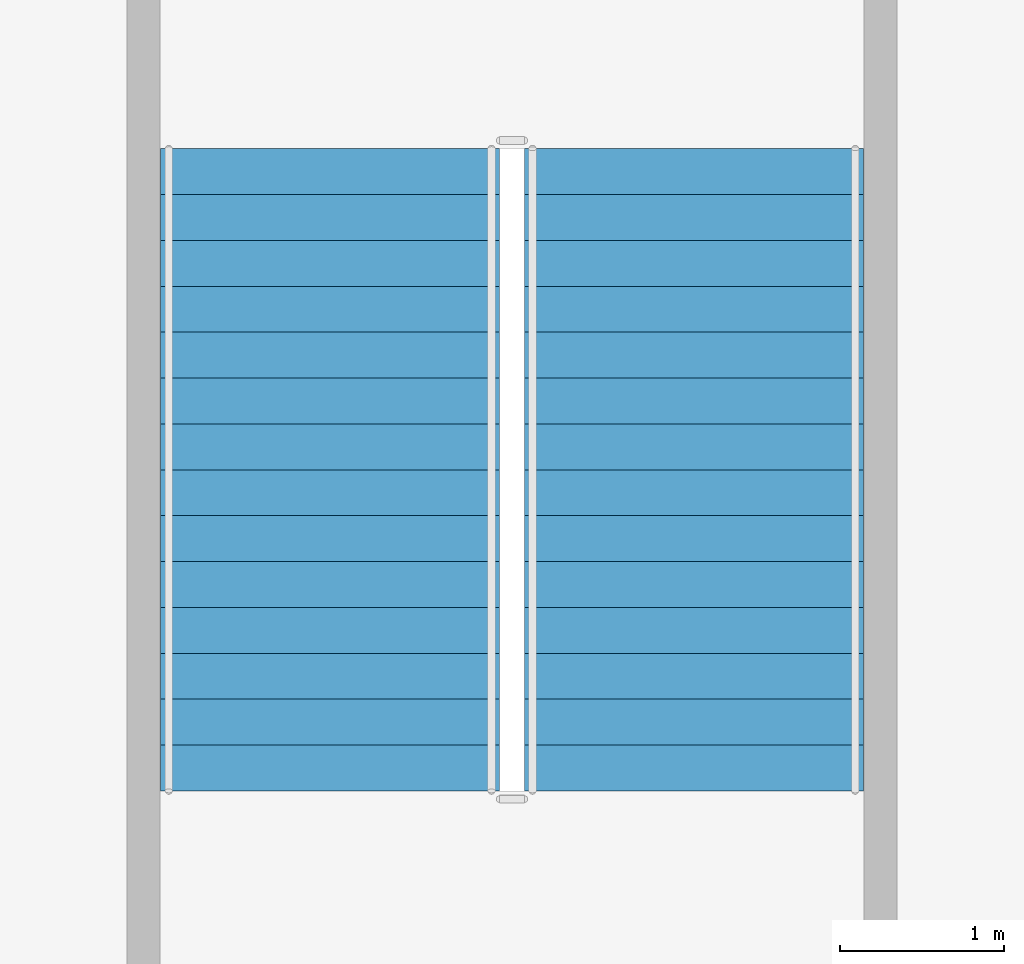
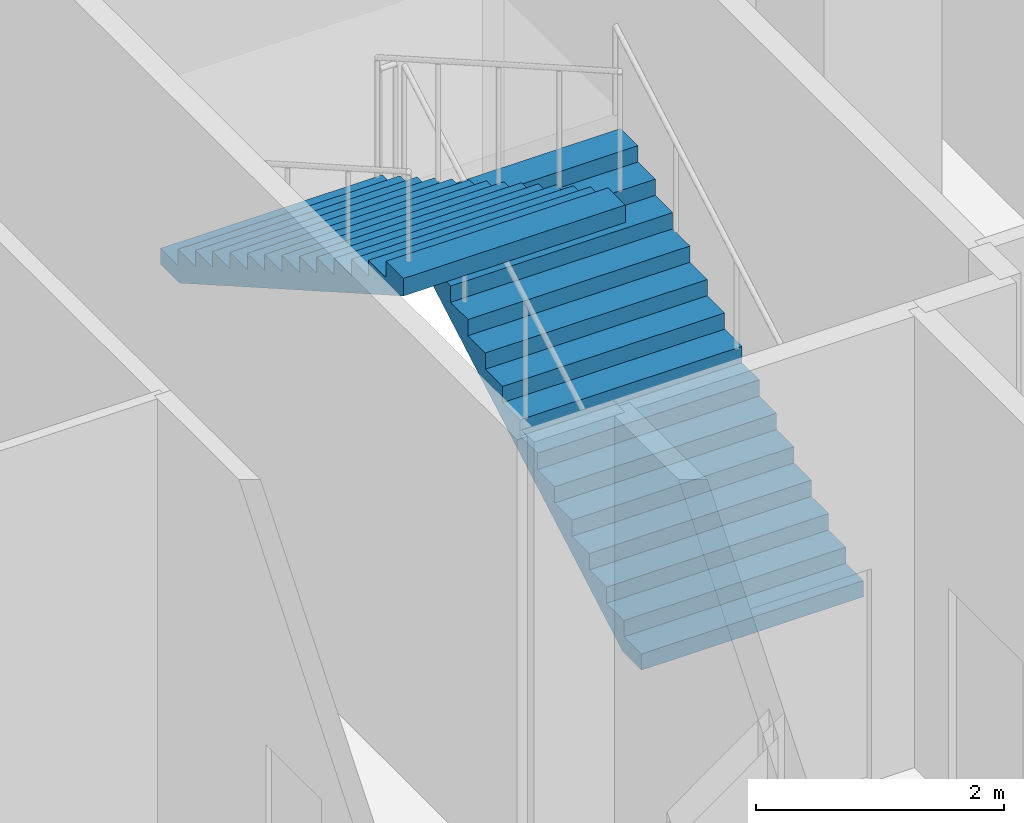
# One storey, part 10 of 23: 2 stair flights, 1 element without a shape of its own.
"""IFC4 building model written with IfcOpenShell, lengths in metres."""

from ifc_helpers import new_model, si_unit, direction, frame, origin, place, context, subcontext, project, spatial, polygons, material, type_object, element, aggregate, save


model = new_model("IFC4")

# Units and contexts
model_context = context("Model", 3, precision=1e-05, world=origin(), true_north=direction((0.0, 1.0)))
body_context = subcontext(model_context, "Body", "Model", "MODEL_VIEW")
ifc_project = project(units=[si_unit("LENGTHUNIT", "METRE"), si_unit("AREAUNIT", "SQUARE_METRE"), si_unit("VOLUMEUNIT", "CUBIC_METRE"), si_unit("PLANEANGLEUNIT", "RADIAN"), si_unit("MASSUNIT", "GRAM", prefix="KILO")], contexts=[model_context])

# Site, building, storey
site_placement = place(None, origin())
site = spatial("IfcSite", under=ifc_project, at=site_placement, CompositionType="ELEMENT")
building_placement = place(site_placement, origin())
building = spatial("IfcBuilding", under=site, at=building_placement, Name="Caravel Reach Hotel and Residences", CompositionType="ELEMENT")
storey_placement = place(building_placement, frame((0.0, 0.0, 24.0)))
storey = spatial("IfcBuildingStorey", under=building, at=storey_placement, Name="L04", CompositionType="ELEMENT", Elevation=24.0)

# Stair, stair flights
ifc_material_1 = material(Name="Concrete C40", Category="concrete")
stair_type = type_object("IfcStairType", Name="Core stair", PredefinedType="HALF_TURN_STAIR", material=ifc_material_1)
stair_placement = place(storey_placement, origin())
stair = element("IfcStair", 1, at=stair_placement, inside=storey, type_object=stair_type, Name="L04 Exit stair P3", PredefinedType="HALF_TURN_STAIR")
ifc_material_2 = material(Name="Concrete C40", Category="concrete")
stair_flight_type = type_object("IfcStairFlightType", Name="Core stair flight", PredefinedType="STRAIGHT", material=ifc_material_2)
stair_flight_1_placement = place(storey_placement, frame((10.110107421875, 13.68994140625, 0.0), z_axis=(0.0, 0.0, 1.0), x_axis=(0.0, 1.0, 0.0)))
stair_flight_1 = element("IfcStairFlight", 2, at=stair_flight_1_placement, type_object=stair_flight_type, Name="ST-P3 flight 1", NumberOfRisers=15, NumberOfTreads=14, PredefinedType="STRAIGHT", RiserHeight=0.16, TreadLength=0.28, context=body_context, shape_type="Tessellation", body=[
    polygons([(0.30213783309663755, 1.0350341796875, 0.0), (0.30213783309663755, 0.6900227864583333, 0.0), (0.30213783309663755, 0.34501139322916663, 0.0), (0.30213783309663755, 0.0, 0.0), (0.30213783309663755, -0.34501139322916674, 0.0), (0.30213783309663755, -0.6900227864583333, 0.0), (0.30213783309663755, -1.0350341796875, 0.0), (3.9210000000000003, 1.0350341796875, 2.0673498096590643), (3.9210000000000003, 0.6900227864583333, 2.0673498096590643), (3.9210000000000003, 0.34501139322916663, 2.0673498096590643), (3.9210000000000003, 0.0, 2.0673498096590643), (3.9210000000000003, -0.34501139322916674, 2.0673498096590643), (3.9210000000000003, -0.6900227864583333, 2.0673498096590643), (3.9210000000000003, -1.0350341796875, 2.0673498096590643), (3.9210000000000003, 1.0350341796875, 2.24), (3.9210000000000003, 0.6900227864583333, 2.24), (3.9210000000000003, 0.34501139322916663, 2.24), (3.9210000000000003, 0.0, 2.24), (3.9210000000000003, -0.34501139322916674, 2.24), (3.9210000000000003, -0.6900227864583333, 2.24), (3.9210000000000003, -1.0350341796875, 2.24), (3.6400000000000006, 1.0350341796875, 2.24), (3.6400000000000006, 0.6900227864583333, 2.24), (3.6400000000000006, 0.34501139322916663, 2.24), (3.6400000000000006, 0.0, 2.24), (3.6400000000000006, -0.34501139322916674, 2.24), (3.6400000000000006, -0.6900227864583333, 2.24), (3.6400000000000006, -1.0350341796875, 2.24), (3.6400000000000006, 1.0350341796875, 2.08), (3.6400000000000006, 0.6900227864583333, 2.08), (3.6400000000000006, 0.34501139322916663, 2.08), (3.6400000000000006, 0.0, 2.08), (3.6400000000000006, -0.34501139322916674, 2.08), (3.6400000000000006, -0.6900227864583333, 2.08), (3.6400000000000006, -1.0350341796875, 2.08), (3.3600000000000003, 1.0350341796875, 2.08), (3.3600000000000003, 0.6900227864583333, 2.08), (3.3600000000000003, 0.34501139322916663, 2.08), (3.3600000000000003, 0.0, 2.08), (3.3600000000000003, -0.34501139322916674, 2.08), (3.3600000000000003, -0.6900227864583333, 2.08), (3.3600000000000003, -1.0350341796875, 2.08), (3.3600000000000003, 1.0350341796875, 1.92), (3.3600000000000003, 0.6900227864583333, 1.92), (3.3600000000000003, 0.34501139322916663, 1.92), (3.3600000000000003, 0.0, 1.92), (3.3600000000000003, -0.34501139322916674, 1.92), (3.3600000000000003, -0.6900227864583333, 1.92), (3.3600000000000003, -1.0350341796875, 1.92), (3.08, 1.0350341796875, 1.92), (3.08, 0.6900227864583333, 1.92), (3.08, 0.34501139322916663, 1.92), (3.08, 0.0, 1.92), (3.08, -0.34501139322916674, 1.92), (3.08, -0.6900227864583333, 1.92), (3.08, -1.0350341796875, 1.92), (3.08, 1.0350341796875, 1.76), (3.08, 0.6900227864583333, 1.76), (3.08, 0.34501139322916663, 1.76), (3.08, 0.0, 1.76), (3.08, -0.34501139322916674, 1.76), (3.08, -0.6900227864583333, 1.76), (3.08, -1.0350341796875, 1.76), (2.8000000000000003, 1.0350341796875, 1.76), (2.8000000000000003, 0.6900227864583333, 1.76), (2.8000000000000003, 0.34501139322916663, 1.76), (2.8000000000000003, 0.0, 1.76), (2.8000000000000003, -0.34501139322916674, 1.76), (2.8000000000000003, -0.6900227864583333, 1.76), (2.8000000000000003, -1.0350341796875, 1.76), (2.8000000000000003, 1.0350341796875, 1.6), (2.8000000000000003, 0.6900227864583333, 1.6), (2.8000000000000003, 0.34501139322916663, 1.6), (2.8000000000000003, 0.0, 1.6), (2.8000000000000003, -0.34501139322916674, 1.6), (2.8000000000000003, -0.6900227864583333, 1.6), (2.8000000000000003, -1.0350341796875, 1.6), (2.5200000000000005, 1.0350341796875, 1.6), (2.5200000000000005, 0.6900227864583333, 1.6), (2.5200000000000005, 0.34501139322916663, 1.6), (2.5200000000000005, 0.0, 1.6), (2.5200000000000005, -0.34501139322916674, 1.6), (2.5200000000000005, -0.6900227864583333, 1.6), (2.5200000000000005, -1.0350341796875, 1.6), (2.5200000000000005, 1.0350341796875, 1.44), (2.5200000000000005, 0.6900227864583333, 1.44), (2.5200000000000005, 0.34501139322916663, 1.44), (2.5200000000000005, 0.0, 1.44), (2.5200000000000005, -0.34501139322916674, 1.44), (2.5200000000000005, -0.6900227864583333, 1.44), (2.5200000000000005, -1.0350341796875, 1.44), (2.24, 1.0350341796875, 1.44), (2.24, 0.6900227864583333, 1.44), (2.24, 0.34501139322916663, 1.44), (2.24, 0.0, 1.44), (2.24, -0.34501139322916674, 1.44), (2.24, -0.6900227864583333, 1.44), (2.24, -1.0350341796875, 1.44), (2.24, 1.0350341796875, 1.28), (2.24, 0.6900227864583333, 1.28), (2.24, 0.34501139322916663, 1.28), (2.24, 0.0, 1.28), (2.24, -0.34501139322916674, 1.28), (2.24, -0.6900227864583333, 1.28), (2.24, -1.0350341796875, 1.28), (1.9600000000000002, 1.0350341796875, 1.28), (1.9600000000000002, 0.6900227864583333, 1.28), (1.9600000000000002, 0.34501139322916663, 1.28), (1.9600000000000002, 0.0, 1.28), (1.9600000000000002, -0.34501139322916674, 1.28), (1.9600000000000002, -0.6900227864583333, 1.28), (1.9600000000000002, -1.0350341796875, 1.28), (1.9600000000000002, 1.0350341796875, 1.12), (1.9600000000000002, 0.6900227864583333, 1.12), (1.9600000000000002, 0.34501139322916663, 1.12), (1.9600000000000002, 0.0, 1.12), (1.9600000000000002, -0.34501139322916674, 1.12), (1.9600000000000002, -0.6900227864583333, 1.12), (1.9600000000000002, -1.0350341796875, 1.12), (1.6800000000000002, 1.0350341796875, 1.12), (1.6800000000000002, 0.6900227864583333, 1.12), (1.6800000000000002, 0.34501139322916663, 1.12), (1.6800000000000002, 0.0, 1.12), (1.6800000000000002, -0.34501139322916674, 1.12), (1.6800000000000002, -0.6900227864583333, 1.12), (1.6800000000000002, -1.0350341796875, 1.12), (1.6800000000000002, 1.0350341796875, 0.96), (1.6800000000000002, 0.6900227864583333, 0.96), (1.6800000000000002, 0.34501139322916663, 0.96), (1.6800000000000002, 0.0, 0.96), (1.6800000000000002, -0.34501139322916674, 0.96), (1.6800000000000002, -0.6900227864583333, 0.96), (1.6800000000000002, -1.0350341796875, 0.96), (1.4000000000000001, 1.0350341796875, 0.96), (1.4000000000000001, 0.6900227864583333, 0.96), (1.4000000000000001, 0.34501139322916663, 0.96), (1.4000000000000001, 0.0, 0.96), (1.4000000000000001, -0.34501139322916674, 0.96), (1.4000000000000001, -0.6900227864583333, 0.96), (1.4000000000000001, -1.0350341796875, 0.96), (1.4000000000000001, 1.0350341796875, 0.8), (1.4000000000000001, 0.6900227864583333, 0.8), (1.4000000000000001, 0.34501139322916663, 0.8), (1.4000000000000001, 0.0, 0.8), (1.4000000000000001, -0.34501139322916674, 0.8), (1.4000000000000001, -0.6900227864583333, 0.8), (1.4000000000000001, -1.0350341796875, 0.8), (1.12, 1.0350341796875, 0.8), (1.12, 0.6900227864583333, 0.8), (1.12, 0.34501139322916663, 0.8), (1.12, 0.0, 0.8), (1.12, -0.34501139322916674, 0.8), (1.12, -0.6900227864583333, 0.8), (1.12, -1.0350341796875, 0.8), (1.12, 1.0350341796875, 0.64), (1.12, 0.6900227864583333, 0.64), (1.12, 0.34501139322916663, 0.64), (1.12, 0.0, 0.64), (1.12, -0.34501139322916674, 0.64), (1.12, -0.6900227864583333, 0.64), (1.12, -1.0350341796875, 0.64), (0.8400000000000001, 1.0350341796875, 0.64), (0.8400000000000001, 0.6900227864583333, 0.64), (0.8400000000000001, 0.34501139322916663, 0.64), (0.8400000000000001, 0.0, 0.64), (0.8400000000000001, -0.34501139322916674, 0.64), (0.8400000000000001, -0.6900227864583333, 0.64), (0.8400000000000001, -1.0350341796875, 0.64), (0.8400000000000001, 1.0350341796875, 0.48), (0.8400000000000001, 0.6900227864583333, 0.48), (0.8400000000000001, 0.34501139322916663, 0.48), (0.8400000000000001, 0.0, 0.48), (0.8400000000000001, -0.34501139322916674, 0.48), (0.8400000000000001, -0.6900227864583333, 0.48), (0.8400000000000001, -1.0350341796875, 0.48), (0.56, 1.0350341796875, 0.48), (0.56, 0.6900227864583333, 0.48), (0.56, 0.34501139322916663, 0.48), (0.56, 0.0, 0.48), (0.56, -0.34501139322916674, 0.48), (0.56, -0.6900227864583333, 0.48), (0.56, -1.0350341796875, 0.48), (0.56, 1.0350341796875, 0.32), (0.56, 0.6900227864583333, 0.32), (0.56, 0.34501139322916663, 0.32), (0.56, 0.0, 0.32), (0.56, -0.34501139322916674, 0.32), (0.56, -0.6900227864583333, 0.32), (0.56, -1.0350341796875, 0.32), (0.28, 1.0350341796875, 0.32), (0.28, 0.6900227864583333, 0.32), (0.28, 0.34501139322916663, 0.32), (0.28, 0.0, 0.32), (0.28, -0.34501139322916674, 0.32), (0.28, -0.6900227864583333, 0.32), (0.28, -1.0350341796875, 0.32), (0.28, 1.0350341796875, 0.16), (0.28, 0.6900227864583333, 0.16), (0.28, 0.34501139322916663, 0.16), (0.28, 0.0, 0.16), (0.28, -0.34501139322916674, 0.16), (0.28, -0.6900227864583333, 0.16), (0.28, -1.0350341796875, 0.16), (-0.001, 1.0350341796875, 0.16), (-0.001, 0.6900227864583333, 0.16), (-0.001, 0.34501139322916663, 0.16), (-0.001, 0.0, 0.16), (-0.001, -0.34501139322916674, 0.16), (-0.001, -0.6900227864583333, 0.16), (-0.001, -1.0350341796875, 0.16), (-0.001, 1.0350341796875, 0.0), (-0.001, 0.6900227864583333, 0.0), (-0.001, 0.34501139322916663, 0.0), (-0.001, 0.0, 0.0), (-0.001, -0.34501139322916674, 0.0), (-0.001, -0.6900227864583333, 0.0), (-0.001, -1.0350341796875, 0.0)], [[[211, 204, 197, 190, 183, 176, 169, 162, 155, 148, 141, 134, 127, 120, 113, 106, 99, 92, 85, 78, 71, 64, 57, 50, 43, 36, 29, 22, 15, 8, 1]], [[7, 14, 21, 28, 35, 42, 49, 56, 63, 70, 77, 84, 91, 98, 105, 112, 119, 126, 133, 140, 147, 154, 161, 168, 175, 182, 189, 196, 203, 210, 217]], [[1, 8, 9, 2]], [[2, 9, 10, 3]], [[3, 10, 11, 4]], [[4, 11, 12, 5]], [[5, 12, 13, 6]], [[6, 13, 14, 7]], [[8, 15, 16, 9]], [[9, 16, 17, 10]], [[10, 17, 18, 11]], [[11, 18, 19, 12]], [[12, 19, 20, 13]], [[13, 20, 21, 14]], [[15, 22, 23, 16]], [[16, 23, 24, 17]], [[17, 24, 25, 18]], [[18, 25, 26, 19]], [[19, 26, 27, 20]], [[20, 27, 28, 21]], [[22, 29, 30, 23]], [[23, 30, 31, 24]], [[24, 31, 32, 25]], [[25, 32, 33, 26]], [[26, 33, 34, 27]], [[27, 34, 35, 28]], [[29, 36, 37, 30]], [[30, 37, 38, 31]], [[31, 38, 39, 32]], [[32, 39, 40, 33]], [[33, 40, 41, 34]], [[34, 41, 42, 35]], [[36, 43, 44, 37]], [[37, 44, 45, 38]], [[38, 45, 46, 39]], [[39, 46, 47, 40]], [[40, 47, 48, 41]], [[41, 48, 49, 42]], [[43, 50, 51, 44]], [[44, 51, 52, 45]], [[45, 52, 53, 46]], [[46, 53, 54, 47]], [[47, 54, 55, 48]], [[48, 55, 56, 49]], [[50, 57, 58, 51]], [[51, 58, 59, 52]], [[52, 59, 60, 53]], [[53, 60, 61, 54]], [[54, 61, 62, 55]], [[55, 62, 63, 56]], [[57, 64, 65, 58]], [[58, 65, 66, 59]], [[59, 66, 67, 60]], [[60, 67, 68, 61]], [[61, 68, 69, 62]], [[62, 69, 70, 63]], [[64, 71, 72, 65]], [[65, 72, 73, 66]], [[66, 73, 74, 67]], [[67, 74, 75, 68]], [[68, 75, 76, 69]], [[69, 76, 77, 70]], [[71, 78, 79, 72]], [[72, 79, 80, 73]], [[73, 80, 81, 74]], [[74, 81, 82, 75]], [[75, 82, 83, 76]], [[76, 83, 84, 77]], [[78, 85, 86, 79]], [[79, 86, 87, 80]], [[80, 87, 88, 81]], [[81, 88, 89, 82]], [[82, 89, 90, 83]], [[83, 90, 91, 84]], [[85, 92, 93, 86]], [[86, 93, 94, 87]], [[87, 94, 95, 88]], [[88, 95, 96, 89]], [[89, 96, 97, 90]], [[90, 97, 98, 91]], [[92, 99, 100, 93]], [[93, 100, 101, 94]], [[94, 101, 102, 95]], [[95, 102, 103, 96]], [[96, 103, 104, 97]], [[97, 104, 105, 98]], [[99, 106, 107, 100]], [[100, 107, 108, 101]], [[101, 108, 109, 102]], [[102, 109, 110, 103]], [[103, 110, 111, 104]], [[104, 111, 112, 105]], [[106, 113, 114, 107]], [[107, 114, 115, 108]], [[108, 115, 116, 109]], [[109, 116, 117, 110]], [[110, 117, 118, 111]], [[111, 118, 119, 112]], [[113, 120, 121, 114]], [[114, 121, 122, 115]], [[115, 122, 123, 116]], [[116, 123, 124, 117]], [[117, 124, 125, 118]], [[118, 125, 126, 119]], [[120, 127, 128, 121]], [[121, 128, 129, 122]], [[122, 129, 130, 123]], [[123, 130, 131, 124]], [[124, 131, 132, 125]], [[125, 132, 133, 126]], [[127, 134, 135, 128]], [[128, 135, 136, 129]], [[129, 136, 137, 130]], [[130, 137, 138, 131]], [[131, 138, 139, 132]], [[132, 139, 140, 133]], [[134, 141, 142, 135]], [[135, 142, 143, 136]], [[136, 143, 144, 137]], [[137, 144, 145, 138]], [[138, 145, 146, 139]], [[139, 146, 147, 140]], [[141, 148, 149, 142]], [[142, 149, 150, 143]], [[143, 150, 151, 144]], [[144, 151, 152, 145]], [[145, 152, 153, 146]], [[146, 153, 154, 147]], [[148, 155, 156, 149]], [[149, 156, 157, 150]], [[150, 157, 158, 151]], [[151, 158, 159, 152]], [[152, 159, 160, 153]], [[153, 160, 161, 154]], [[155, 162, 163, 156]], [[156, 163, 164, 157]], [[157, 164, 165, 158]], [[158, 165, 166, 159]], [[159, 166, 167, 160]], [[160, 167, 168, 161]], [[162, 169, 170, 163]], [[163, 170, 171, 164]], [[164, 171, 172, 165]], [[165, 172, 173, 166]], [[166, 173, 174, 167]], [[167, 174, 175, 168]], [[169, 176, 177, 170]], [[170, 177, 178, 171]], [[171, 178, 179, 172]], [[172, 179, 180, 173]], [[173, 180, 181, 174]], [[174, 181, 182, 175]], [[176, 183, 184, 177]], [[177, 184, 185, 178]], [[178, 185, 186, 179]], [[179, 186, 187, 180]], [[180, 187, 188, 181]], [[181, 188, 189, 182]], [[183, 190, 191, 184]], [[184, 191, 192, 185]], [[185, 192, 193, 186]], [[186, 193, 194, 187]], [[187, 194, 195, 188]], [[188, 195, 196, 189]], [[190, 197, 198, 191]], [[191, 198, 199, 192]], [[192, 199, 200, 193]], [[193, 200, 201, 194]], [[194, 201, 202, 195]], [[195, 202, 203, 196]], [[197, 204, 205, 198]], [[198, 205, 206, 199]], [[199, 206, 207, 200]], [[200, 207, 208, 201]], [[201, 208, 209, 202]], [[202, 209, 210, 203]], [[204, 211, 212, 205]], [[205, 212, 213, 206]], [[206, 213, 214, 207]], [[207, 214, 215, 208]], [[208, 215, 216, 209]], [[209, 216, 217, 210]], [[211, 1, 2, 212]], [[212, 2, 3, 213]], [[213, 3, 4, 214]], [[214, 4, 5, 215]], [[215, 5, 6, 216]], [[216, 6, 7, 217]]], closed=True),
])
stair_flight_2_placement = place(storey_placement, frame((7.889892578125, 17.610107421875, 2.39990234375), z_axis=(0.0, 0.0, 1.0), x_axis=(0.0, -1.0, 0.0)))
stair_flight_2 = element("IfcStairFlight", 3, at=stair_flight_2_placement, type_object=stair_flight_type, Name="ST-P3 flight 2", NumberOfRisers=15, NumberOfTreads=14, PredefinedType="STRAIGHT", RiserHeight=0.16, TreadLength=0.28, context=body_context, shape_type="Tessellation", body=[
    polygons([(0.30213783309663755, 1.0350341796875, 0.0), (0.30213783309663755, 0.6900227864583333, 0.0), (0.30213783309663755, 0.34501139322916663, 0.0), (0.30213783309663755, 0.0, 0.0), (0.30213783309663755, -0.34501139322916674, 0.0), (0.30213783309663755, -0.6900227864583333, 0.0), (0.30213783309663755, -1.0350341796875, 0.0), (3.9210000000000003, 1.0350341796875, 2.0673498096590643), (3.9210000000000003, 0.6900227864583333, 2.0673498096590643), (3.9210000000000003, 0.34501139322916663, 2.0673498096590643), (3.9210000000000003, 0.0, 2.0673498096590643), (3.9210000000000003, -0.34501139322916674, 2.0673498096590643), (3.9210000000000003, -0.6900227864583333, 2.0673498096590643), (3.9210000000000003, -1.0350341796875, 2.0673498096590643), (3.9210000000000003, 1.0350341796875, 2.24), (3.9210000000000003, 0.6900227864583333, 2.24), (3.9210000000000003, 0.34501139322916663, 2.24), (3.9210000000000003, 0.0, 2.24), (3.9210000000000003, -0.34501139322916674, 2.24), (3.9210000000000003, -0.6900227864583333, 2.24), (3.9210000000000003, -1.0350341796875, 2.24), (3.6400000000000006, 1.0350341796875, 2.24), (3.6400000000000006, 0.6900227864583333, 2.24), (3.6400000000000006, 0.34501139322916663, 2.24), (3.6400000000000006, 0.0, 2.24), (3.6400000000000006, -0.34501139322916674, 2.24), (3.6400000000000006, -0.6900227864583333, 2.24), (3.6400000000000006, -1.0350341796875, 2.24), (3.6400000000000006, 1.0350341796875, 2.08), (3.6400000000000006, 0.6900227864583333, 2.08), (3.6400000000000006, 0.34501139322916663, 2.08), (3.6400000000000006, 0.0, 2.08), (3.6400000000000006, -0.34501139322916674, 2.08), (3.6400000000000006, -0.6900227864583333, 2.08), (3.6400000000000006, -1.0350341796875, 2.08), (3.3600000000000003, 1.0350341796875, 2.08), (3.3600000000000003, 0.6900227864583333, 2.08), (3.3600000000000003, 0.34501139322916663, 2.08), (3.3600000000000003, 0.0, 2.08), (3.3600000000000003, -0.34501139322916674, 2.08), (3.3600000000000003, -0.6900227864583333, 2.08), (3.3600000000000003, -1.0350341796875, 2.08), (3.3600000000000003, 1.0350341796875, 1.92), (3.3600000000000003, 0.6900227864583333, 1.92), (3.3600000000000003, 0.34501139322916663, 1.92), (3.3600000000000003, 0.0, 1.92), (3.3600000000000003, -0.34501139322916674, 1.92), (3.3600000000000003, -0.6900227864583333, 1.92), (3.3600000000000003, -1.0350341796875, 1.92), (3.08, 1.0350341796875, 1.92), (3.08, 0.6900227864583333, 1.92), (3.08, 0.34501139322916663, 1.92), (3.08, 0.0, 1.92), (3.08, -0.34501139322916674, 1.92), (3.08, -0.6900227864583333, 1.92), (3.08, -1.0350341796875, 1.92), (3.08, 1.0350341796875, 1.76), (3.08, 0.6900227864583333, 1.76), (3.08, 0.34501139322916663, 1.76), (3.08, 0.0, 1.76), (3.08, -0.34501139322916674, 1.76), (3.08, -0.6900227864583333, 1.76), (3.08, -1.0350341796875, 1.76), (2.8000000000000003, 1.0350341796875, 1.76), (2.8000000000000003, 0.6900227864583333, 1.76), (2.8000000000000003, 0.34501139322916663, 1.76), (2.8000000000000003, 0.0, 1.76), (2.8000000000000003, -0.34501139322916674, 1.76), (2.8000000000000003, -0.6900227864583333, 1.76), (2.8000000000000003, -1.0350341796875, 1.76), (2.8000000000000003, 1.0350341796875, 1.6), (2.8000000000000003, 0.6900227864583333, 1.6), (2.8000000000000003, 0.34501139322916663, 1.6), (2.8000000000000003, 0.0, 1.6), (2.8000000000000003, -0.34501139322916674, 1.6), (2.8000000000000003, -0.6900227864583333, 1.6), (2.8000000000000003, -1.0350341796875, 1.6), (2.5200000000000005, 1.0350341796875, 1.6), (2.5200000000000005, 0.6900227864583333, 1.6), (2.5200000000000005, 0.34501139322916663, 1.6), (2.5200000000000005, 0.0, 1.6), (2.5200000000000005, -0.34501139322916674, 1.6), (2.5200000000000005, -0.6900227864583333, 1.6), (2.5200000000000005, -1.0350341796875, 1.6), (2.5200000000000005, 1.0350341796875, 1.44), (2.5200000000000005, 0.6900227864583333, 1.44), (2.5200000000000005, 0.34501139322916663, 1.44), (2.5200000000000005, 0.0, 1.44), (2.5200000000000005, -0.34501139322916674, 1.44), (2.5200000000000005, -0.6900227864583333, 1.44), (2.5200000000000005, -1.0350341796875, 1.44), (2.24, 1.0350341796875, 1.44), (2.24, 0.6900227864583333, 1.44), (2.24, 0.34501139322916663, 1.44), (2.24, 0.0, 1.44), (2.24, -0.34501139322916674, 1.44), (2.24, -0.6900227864583333, 1.44), (2.24, -1.0350341796875, 1.44), (2.24, 1.0350341796875, 1.28), (2.24, 0.6900227864583333, 1.28), (2.24, 0.34501139322916663, 1.28), (2.24, 0.0, 1.28), (2.24, -0.34501139322916674, 1.28), (2.24, -0.6900227864583333, 1.28), (2.24, -1.0350341796875, 1.28), (1.9600000000000002, 1.0350341796875, 1.28), (1.9600000000000002, 0.6900227864583333, 1.28), (1.9600000000000002, 0.34501139322916663, 1.28), (1.9600000000000002, 0.0, 1.28), (1.9600000000000002, -0.34501139322916674, 1.28), (1.9600000000000002, -0.6900227864583333, 1.28), (1.9600000000000002, -1.0350341796875, 1.28), (1.9600000000000002, 1.0350341796875, 1.12), (1.9600000000000002, 0.6900227864583333, 1.12), (1.9600000000000002, 0.34501139322916663, 1.12), (1.9600000000000002, 0.0, 1.12), (1.9600000000000002, -0.34501139322916674, 1.12), (1.9600000000000002, -0.6900227864583333, 1.12), (1.9600000000000002, -1.0350341796875, 1.12), (1.6800000000000002, 1.0350341796875, 1.12), (1.6800000000000002, 0.6900227864583333, 1.12), (1.6800000000000002, 0.34501139322916663, 1.12), (1.6800000000000002, 0.0, 1.12), (1.6800000000000002, -0.34501139322916674, 1.12), (1.6800000000000002, -0.6900227864583333, 1.12), (1.6800000000000002, -1.0350341796875, 1.12), (1.6800000000000002, 1.0350341796875, 0.96), (1.6800000000000002, 0.6900227864583333, 0.96), (1.6800000000000002, 0.34501139322916663, 0.96), (1.6800000000000002, 0.0, 0.96), (1.6800000000000002, -0.34501139322916674, 0.96), (1.6800000000000002, -0.6900227864583333, 0.96), (1.6800000000000002, -1.0350341796875, 0.96), (1.4000000000000001, 1.0350341796875, 0.96), (1.4000000000000001, 0.6900227864583333, 0.96), (1.4000000000000001, 0.34501139322916663, 0.96), (1.4000000000000001, 0.0, 0.96), (1.4000000000000001, -0.34501139322916674, 0.96), (1.4000000000000001, -0.6900227864583333, 0.96), (1.4000000000000001, -1.0350341796875, 0.96), (1.4000000000000001, 1.0350341796875, 0.8), (1.4000000000000001, 0.6900227864583333, 0.8), (1.4000000000000001, 0.34501139322916663, 0.8), (1.4000000000000001, 0.0, 0.8), (1.4000000000000001, -0.34501139322916674, 0.8), (1.4000000000000001, -0.6900227864583333, 0.8), (1.4000000000000001, -1.0350341796875, 0.8), (1.12, 1.0350341796875, 0.8), (1.12, 0.6900227864583333, 0.8), (1.12, 0.34501139322916663, 0.8), (1.12, 0.0, 0.8), (1.12, -0.34501139322916674, 0.8), (1.12, -0.6900227864583333, 0.8), (1.12, -1.0350341796875, 0.8), (1.12, 1.0350341796875, 0.64), (1.12, 0.6900227864583333, 0.64), (1.12, 0.34501139322916663, 0.64), (1.12, 0.0, 0.64), (1.12, -0.34501139322916674, 0.64), (1.12, -0.6900227864583333, 0.64), (1.12, -1.0350341796875, 0.64), (0.8400000000000001, 1.0350341796875, 0.64), (0.8400000000000001, 0.6900227864583333, 0.64), (0.8400000000000001, 0.34501139322916663, 0.64), (0.8400000000000001, 0.0, 0.64), (0.8400000000000001, -0.34501139322916674, 0.64), (0.8400000000000001, -0.6900227864583333, 0.64), (0.8400000000000001, -1.0350341796875, 0.64), (0.8400000000000001, 1.0350341796875, 0.48), (0.8400000000000001, 0.6900227864583333, 0.48), (0.8400000000000001, 0.34501139322916663, 0.48), (0.8400000000000001, 0.0, 0.48), (0.8400000000000001, -0.34501139322916674, 0.48), (0.8400000000000001, -0.6900227864583333, 0.48), (0.8400000000000001, -1.0350341796875, 0.48), (0.56, 1.0350341796875, 0.48), (0.56, 0.6900227864583333, 0.48), (0.56, 0.34501139322916663, 0.48), (0.56, 0.0, 0.48), (0.56, -0.34501139322916674, 0.48), (0.56, -0.6900227864583333, 0.48), (0.56, -1.0350341796875, 0.48), (0.56, 1.0350341796875, 0.32), (0.56, 0.6900227864583333, 0.32), (0.56, 0.34501139322916663, 0.32), (0.56, 0.0, 0.32), (0.56, -0.34501139322916674, 0.32), (0.56, -0.6900227864583333, 0.32), (0.56, -1.0350341796875, 0.32), (0.28, 1.0350341796875, 0.32), (0.28, 0.6900227864583333, 0.32), (0.28, 0.34501139322916663, 0.32), (0.28, 0.0, 0.32), (0.28, -0.34501139322916674, 0.32), (0.28, -0.6900227864583333, 0.32), (0.28, -1.0350341796875, 0.32), (0.28, 1.0350341796875, 0.16), (0.28, 0.6900227864583333, 0.16), (0.28, 0.34501139322916663, 0.16), (0.28, 0.0, 0.16), (0.28, -0.34501139322916674, 0.16), (0.28, -0.6900227864583333, 0.16), (0.28, -1.0350341796875, 0.16), (-0.001, 1.0350341796875, 0.16), (-0.001, 0.6900227864583333, 0.16), (-0.001, 0.34501139322916663, 0.16), (-0.001, 0.0, 0.16), (-0.001, -0.34501139322916674, 0.16), (-0.001, -0.6900227864583333, 0.16), (-0.001, -1.0350341796875, 0.16), (-0.001, 1.0350341796875, 0.0), (-0.001, 0.6900227864583333, 0.0), (-0.001, 0.34501139322916663, 0.0), (-0.001, 0.0, 0.0), (-0.001, -0.34501139322916674, 0.0), (-0.001, -0.6900227864583333, 0.0), (-0.001, -1.0350341796875, 0.0)], [[[211, 204, 197, 190, 183, 176, 169, 162, 155, 148, 141, 134, 127, 120, 113, 106, 99, 92, 85, 78, 71, 64, 57, 50, 43, 36, 29, 22, 15, 8, 1]], [[7, 14, 21, 28, 35, 42, 49, 56, 63, 70, 77, 84, 91, 98, 105, 112, 119, 126, 133, 140, 147, 154, 161, 168, 175, 182, 189, 196, 203, 210, 217]], [[1, 8, 9, 2]], [[2, 9, 10, 3]], [[3, 10, 11, 4]], [[4, 11, 12, 5]], [[5, 12, 13, 6]], [[6, 13, 14, 7]], [[8, 15, 16, 9]], [[9, 16, 17, 10]], [[10, 17, 18, 11]], [[11, 18, 19, 12]], [[12, 19, 20, 13]], [[13, 20, 21, 14]], [[15, 22, 23, 16]], [[16, 23, 24, 17]], [[17, 24, 25, 18]], [[18, 25, 26, 19]], [[19, 26, 27, 20]], [[20, 27, 28, 21]], [[22, 29, 30, 23]], [[23, 30, 31, 24]], [[24, 31, 32, 25]], [[25, 32, 33, 26]], [[26, 33, 34, 27]], [[27, 34, 35, 28]], [[29, 36, 37, 30]], [[30, 37, 38, 31]], [[31, 38, 39, 32]], [[32, 39, 40, 33]], [[33, 40, 41, 34]], [[34, 41, 42, 35]], [[36, 43, 44, 37]], [[37, 44, 45, 38]], [[38, 45, 46, 39]], [[39, 46, 47, 40]], [[40, 47, 48, 41]], [[41, 48, 49, 42]], [[43, 50, 51, 44]], [[44, 51, 52, 45]], [[45, 52, 53, 46]], [[46, 53, 54, 47]], [[47, 54, 55, 48]], [[48, 55, 56, 49]], [[50, 57, 58, 51]], [[51, 58, 59, 52]], [[52, 59, 60, 53]], [[53, 60, 61, 54]], [[54, 61, 62, 55]], [[55, 62, 63, 56]], [[57, 64, 65, 58]], [[58, 65, 66, 59]], [[59, 66, 67, 60]], [[60, 67, 68, 61]], [[61, 68, 69, 62]], [[62, 69, 70, 63]], [[64, 71, 72, 65]], [[65, 72, 73, 66]], [[66, 73, 74, 67]], [[67, 74, 75, 68]], [[68, 75, 76, 69]], [[69, 76, 77, 70]], [[71, 78, 79, 72]], [[72, 79, 80, 73]], [[73, 80, 81, 74]], [[74, 81, 82, 75]], [[75, 82, 83, 76]], [[76, 83, 84, 77]], [[78, 85, 86, 79]], [[79, 86, 87, 80]], [[80, 87, 88, 81]], [[81, 88, 89, 82]], [[82, 89, 90, 83]], [[83, 90, 91, 84]], [[85, 92, 93, 86]], [[86, 93, 94, 87]], [[87, 94, 95, 88]], [[88, 95, 96, 89]], [[89, 96, 97, 90]], [[90, 97, 98, 91]], [[92, 99, 100, 93]], [[93, 100, 101, 94]], [[94, 101, 102, 95]], [[95, 102, 103, 96]], [[96, 103, 104, 97]], [[97, 104, 105, 98]], [[99, 106, 107, 100]], [[100, 107, 108, 101]], [[101, 108, 109, 102]], [[102, 109, 110, 103]], [[103, 110, 111, 104]], [[104, 111, 112, 105]], [[106, 113, 114, 107]], [[107, 114, 115, 108]], [[108, 115, 116, 109]], [[109, 116, 117, 110]], [[110, 117, 118, 111]], [[111, 118, 119, 112]], [[113, 120, 121, 114]], [[114, 121, 122, 115]], [[115, 122, 123, 116]], [[116, 123, 124, 117]], [[117, 124, 125, 118]], [[118, 125, 126, 119]], [[120, 127, 128, 121]], [[121, 128, 129, 122]], [[122, 129, 130, 123]], [[123, 130, 131, 124]], [[124, 131, 132, 125]], [[125, 132, 133, 126]], [[127, 134, 135, 128]], [[128, 135, 136, 129]], [[129, 136, 137, 130]], [[130, 137, 138, 131]], [[131, 138, 139, 132]], [[132, 139, 140, 133]], [[134, 141, 142, 135]], [[135, 142, 143, 136]], [[136, 143, 144, 137]], [[137, 144, 145, 138]], [[138, 145, 146, 139]], [[139, 146, 147, 140]], [[141, 148, 149, 142]], [[142, 149, 150, 143]], [[143, 150, 151, 144]], [[144, 151, 152, 145]], [[145, 152, 153, 146]], [[146, 153, 154, 147]], [[148, 155, 156, 149]], [[149, 156, 157, 150]], [[150, 157, 158, 151]], [[151, 158, 159, 152]], [[152, 159, 160, 153]], [[153, 160, 161, 154]], [[155, 162, 163, 156]], [[156, 163, 164, 157]], [[157, 164, 165, 158]], [[158, 165, 166, 159]], [[159, 166, 167, 160]], [[160, 167, 168, 161]], [[162, 169, 170, 163]], [[163, 170, 171, 164]], [[164, 171, 172, 165]], [[165, 172, 173, 166]], [[166, 173, 174, 167]], [[167, 174, 175, 168]], [[169, 176, 177, 170]], [[170, 177, 178, 171]], [[171, 178, 179, 172]], [[172, 179, 180, 173]], [[173, 180, 181, 174]], [[174, 181, 182, 175]], [[176, 183, 184, 177]], [[177, 184, 185, 178]], [[178, 185, 186, 179]], [[179, 186, 187, 180]], [[180, 187, 188, 181]], [[181, 188, 189, 182]], [[183, 190, 191, 184]], [[184, 191, 192, 185]], [[185, 192, 193, 186]], [[186, 193, 194, 187]], [[187, 194, 195, 188]], [[188, 195, 196, 189]], [[190, 197, 198, 191]], [[191, 198, 199, 192]], [[192, 199, 200, 193]], [[193, 200, 201, 194]], [[194, 201, 202, 195]], [[195, 202, 203, 196]], [[197, 204, 205, 198]], [[198, 205, 206, 199]], [[199, 206, 207, 200]], [[200, 207, 208, 201]], [[201, 208, 209, 202]], [[202, 209, 210, 203]], [[204, 211, 212, 205]], [[205, 212, 213, 206]], [[206, 213, 214, 207]], [[207, 214, 215, 208]], [[208, 215, 216, 209]], [[209, 216, 217, 210]], [[211, 1, 2, 212]], [[212, 2, 3, 213]], [[213, 3, 4, 214]], [[214, 4, 5, 215]], [[215, 5, 6, 216]], [[216, 6, 7, 217]]], closed=True),
])
aggregate(stair, [stair_flight_1, stair_flight_2])

save(model, "model.ifc")
